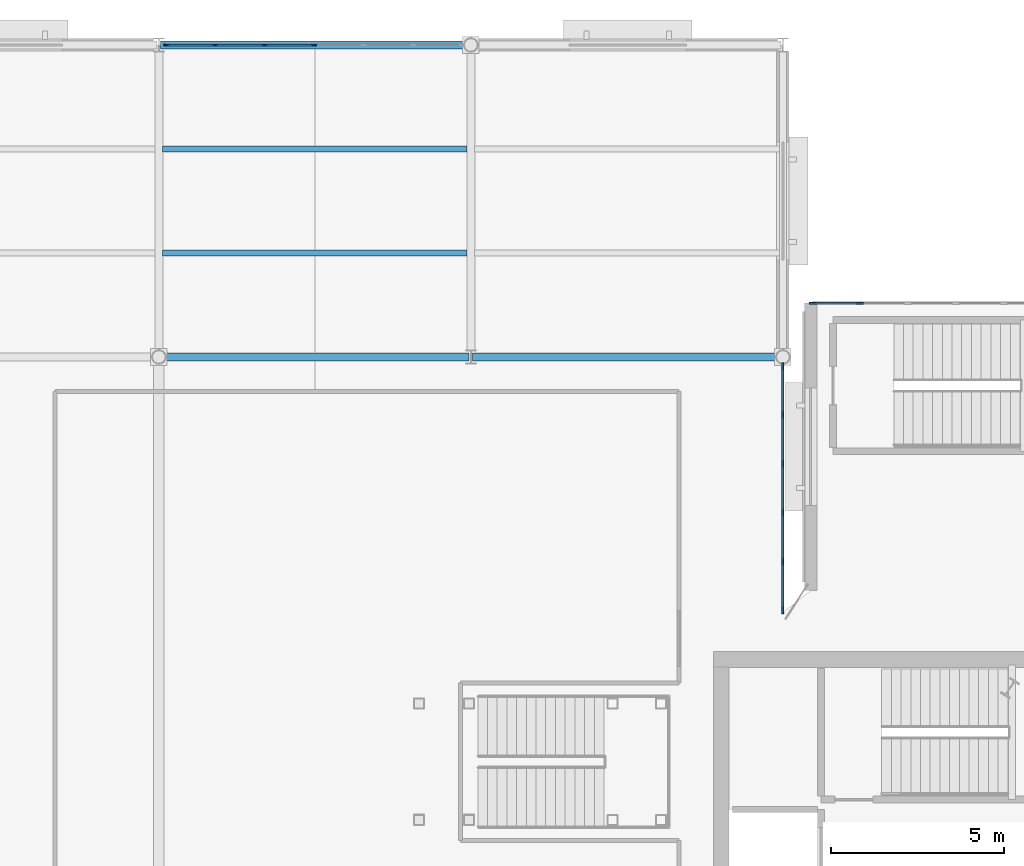
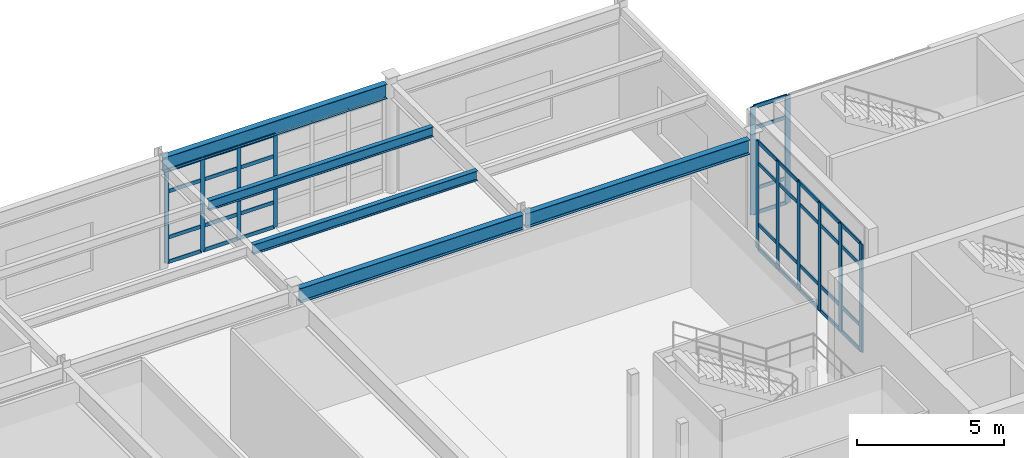
# One storey, part 40 of 84: 48 members, 5 beams, 3 elements without a shape of their own.
"""IFC4 building model written with IfcOpenShell, lengths in metres."""

from ifc_helpers import new_model, si_unit, direction, frame, origin, origin_2d, place, context, subcontext, project, spatial, rectangle, i_section, extrude, material, material_profile, profile_set, type_object, element, aggregate, save


model = new_model("IFC4")

# Units and contexts
model_context = context("Model", 3, precision=1e-05, world=origin(), true_north=direction((0.0, 1.0)))
body_context = subcontext(model_context, "Body", "Model", "MODEL_VIEW")
ifc_project = project(units=[si_unit("LENGTHUNIT", "METRE"), si_unit("AREAUNIT", "SQUARE_METRE"), si_unit("VOLUMEUNIT", "CUBIC_METRE"), si_unit("PLANEANGLEUNIT", "RADIAN"), si_unit("MASSUNIT", "GRAM", prefix="KILO")], contexts=[model_context])

# Site, building, storey
site_placement = place(None, origin())
site = spatial("IfcSite", under=ifc_project, at=site_placement, CompositionType="ELEMENT")
building_placement = place(site_placement, origin())
building = spatial("IfcBuilding", under=site, at=building_placement, Name="Glasvene Arena", CompositionType="ELEMENT")
storey_placement = place(building_placement, frame((0.0, 0.0, 10.199951171875)))
storey = spatial("IfcBuildingStorey", under=building, at=storey_placement, Name="L02", CompositionType="ELEMENT", Elevation=10.199951171875)

# Beams
ifc_material_1 = material(Name="Steel S355J2", Category="steel")
ifc_material_profile_1 = material_profile(ifc_material_1, i_section(OverallWidth=0.228271484375, OverallDepth=0.607666015625, WebThickness=0.010986328125, FlangeThickness=0.017333984375, FilletRadius=0.0126953125, at=origin_2d()), Name="UKB 610x229x113")
ifc_profile_set_1 = profile_set([ifc_material_profile_1], Name="Steel S355J2")
beam_type_1 = type_object("IfcBeamType", Name="BM-GIRD-610", PredefinedType="BEAM", material=ifc_profile_set_1)
for number, where, z_axis, x_axis, name in (
    (1, (27.1982421875, 109.0, 4.21630859375), (1.0, 0.0, 0.0), (0.0, 1.0, 0.0), "Primary X girder L02-0822"),
    (2, (36.050048828125, 109.0, 4.21630859375), (1.0, 0.0, 0.0), (0.0, 1.0, 0.0), "Primary X girder L02-0823"),
    (3, (27.050048828125, 118.0, 4.21630859375), (1.0, 0.0, 0.0), (0.0, 1.0, 0.0), "Primary X girder L02-0827"),
):
    element("IfcBeam", number, at=place(storey_placement, frame(where, z_axis=z_axis, x_axis=x_axis)), inside=storey, type_object=beam_type_1, Name=name, PredefinedType="BEAM", context=body_context, shape_type="SweptSolid", body=[
        extrude(i_section(OverallWidth=0.228271484375, OverallDepth=0.607666015625, WebThickness=0.010986328125, FlangeThickness=0.017333984375, FilletRadius=0.0126953125, at=origin_2d()), origin(), (0.0, 0.0, 1.0), 8.751708984375),
    ])
ifc_material_profile_2 = material_profile(ifc_material_1, i_section(OverallWidth=0.177978515625, OverallDepth=0.406494140625, WebThickness=0.0078125, FlangeThickness=0.0126953125, FilletRadius=0.01025390625, at=origin_2d()), Name="UKB 406x178x60")
ifc_profile_set_2 = profile_set([ifc_material_profile_2], Name="Steel S355J2")
beam_type_2 = type_object("IfcBeamType", Name="BM-JOIST-406", PredefinedType="JOIST", material=ifc_profile_set_2)
for number, where, z_axis, x_axis, name in (
    (4, (27.110107421875, 112.0, 4.31689453125), (1.0, 0.0, 0.0), (0.0, 1.0, 0.0), "Composite floor joist L02-0919"),
    (5, (27.110107421875, 115.0, 4.31689453125), (1.0, 0.0, 0.0), (0.0, 1.0, 0.0), "Composite floor joist L02-0920"),
):
    element("IfcBeam", number, at=place(storey_placement, frame(where, z_axis=z_axis, x_axis=x_axis)), inside=storey, type_object=beam_type_2, Name=name, PredefinedType="JOIST", context=body_context, shape_type="SweptSolid", body=[
        extrude(i_section(OverallWidth=0.177978515625, OverallDepth=0.406494140625, WebThickness=0.0078125, FlangeThickness=0.0126953125, FilletRadius=0.01025390625, at=origin_2d()), origin(), (0.0, 0.0, 1.0), 8.77978515625),
    ])

# Curtain wall, members
ifc_material_2 = material(Name="Low-emissivity laminated double glazing", Category="glass")
curtain_wall_type_1 = type_object("IfcCurtainWallType", Name="CW-FAC-L01-856x385", PredefinedType="USERDEFINED", material=ifc_material_2)
curtain_wall_1_placement = place(storey_placement, frame((27.19189453125, 118.0, 0.0)))
curtain_wall_1 = element("IfcCurtainWall", 6, at=curtain_wall_1_placement, inside=storey, type_object=curtain_wall_type_1, Name="Unitised curtain wall CW-F-L02-150-315-1180-10", ObjectType="CURTAIN WALL", PredefinedType="USERDEFINED")
ifc_material_3 = material(Name="Anodised architectural aluminium", Category="aluminium")
ifc_material_profile_3 = material_profile(ifc_material_3, rectangle(XDim=0.050048828125, YDim=0.159912109375, at=origin_2d()), Name="ALU MULLION 50x160")
ifc_profile_set_3 = profile_set([ifc_material_profile_3], Name="Anodised architectural aluminium")
member_type_1 = type_object("IfcMemberType", Name="CW-MUL-150", PredefinedType="MULLION", material=ifc_profile_set_3)
member_1_placement = place(storey_placement, frame((27.217041015625, 118.0, 0.06005859375), z_axis=(0.0, 0.0, 1.0), x_axis=(0.0, 1.0, 0.0)))
member_1 = element("IfcMember", 7, at=member_1_placement, type_object=member_type_1, Name="CW-017 mullion 1", PredefinedType="MULLION", context=body_context, shape_type="SweptSolid", body=[
    extrude(rectangle(XDim=0.050048828125, YDim=0.159912109375, at=origin_2d()), origin(), (0.0, 0.0, 1.0), 3.846923828125),
])
member_2_placement = place(storey_placement, frame((28.619140625, 118.0, 0.06005859375), z_axis=(0.0, 0.0, 1.0), x_axis=(0.0, 1.0, 0.0)))
member_2 = element("IfcMember", 8, at=member_2_placement, type_object=member_type_1, Name="CW-017 mullion 2", PredefinedType="MULLION", context=body_context, shape_type="SweptSolid", body=[
    extrude(rectangle(XDim=0.050048828125, YDim=0.159912109375, at=origin_2d()), origin(), (0.0, 0.0, 1.0), 3.846923828125),
])
member_3_placement = place(storey_placement, frame((30.04638671875, 118.0, 0.06005859375), z_axis=(0.0, 0.0, 1.0), x_axis=(0.0, 1.0, 0.0)))
member_3 = element("IfcMember", 9, at=member_3_placement, type_object=member_type_1, Name="CW-017 mullion 3", PredefinedType="MULLION", context=body_context, shape_type="SweptSolid", body=[
    extrude(rectangle(XDim=0.050048828125, YDim=0.159912109375, at=origin_2d()), origin(), (0.0, 0.0, 1.0), 3.846923828125),
])
member_4_placement = place(storey_placement, frame((31.473388671875, 118.0, 0.06005859375), z_axis=(0.0, 0.0, 1.0), x_axis=(0.0, 1.0, 0.0)))
member_4 = element("IfcMember", 10, at=member_4_placement, type_object=member_type_1, Name="CW-017 mullion 4", PredefinedType="MULLION", context=body_context, shape_type="SweptSolid", body=[
    extrude(rectangle(XDim=0.050048828125, YDim=0.159912109375, at=origin_2d()), origin(), (0.0, 0.0, 1.0), 3.846923828125),
])

curtain_wall_type_2 = type_object("IfcCurtainWallType", Name="CW-FAC-L02-708x446", PredefinedType="USERDEFINED", material=ifc_material_2)
curtain_wall_2_placement = place(storey_placement, frame((45.0, 108.7548828125, 0.0)))
curtain_wall_2 = element("IfcCurtainWall", 11, at=curtain_wall_2_placement, inside=storey, type_object=curtain_wall_type_2, Name="Unitised curtain wall CW-F-L02-180-450-1052-13", ObjectType="CURTAIN WALL", PredefinedType="USERDEFINED")
ifc_material_profile_4 = material_profile(ifc_material_3, rectangle(XDim=0.050048828125, YDim=0.199951171875, at=origin_2d()), Name="ALU MULLION 50x200")
ifc_profile_set_4 = profile_set([ifc_material_profile_4], Name="Anodised architectural aluminium")
member_type_2 = type_object("IfcMemberType", Name="CW-MUL-180", PredefinedType="MULLION", material=ifc_profile_set_4)
member_5_placement = place(storey_placement, frame((45.0, 108.729736328125, 0.06005859375), z_axis=(0.0, 0.0, 1.0), x_axis=(1.0, 0.0, 0.0)))
member_5 = element("IfcMember", 12, at=member_5_placement, type_object=member_type_2, Name="CW-020 mullion 1", PredefinedType="MULLION", context=body_context, shape_type="SweptSolid", body=[
    extrude(rectangle(XDim=0.050048828125, YDim=0.199951171875, at=origin_2d()), origin(), (0.0, 0.0, 1.0), 4.4599609375),
])
member_6_placement = place(storey_placement, frame((45.0, 107.338134765625, 0.06005859375), z_axis=(0.0, 0.0, 1.0), x_axis=(1.0, 0.0, 0.0)))
member_6 = element("IfcMember", 13, at=member_6_placement, type_object=member_type_2, Name="CW-020 mullion 2", PredefinedType="MULLION", context=body_context, shape_type="SweptSolid", body=[
    extrude(rectangle(XDim=0.050048828125, YDim=0.199951171875, at=origin_2d()), origin(), (0.0, 0.0, 1.0), 4.4599609375),
])
member_7_placement = place(storey_placement, frame((45.0, 105.921142578125, 0.06005859375), z_axis=(0.0, 0.0, 1.0), x_axis=(1.0, 0.0, 0.0)))
member_7 = element("IfcMember", 14, at=member_7_placement, type_object=member_type_2, Name="CW-020 mullion 3", PredefinedType="MULLION", context=body_context, shape_type="SweptSolid", body=[
    extrude(rectangle(XDim=0.050048828125, YDim=0.199951171875, at=origin_2d()), origin(), (0.0, 0.0, 1.0), 4.4599609375),
])
member_8_placement = place(storey_placement, frame((45.0, 104.50439453125, 0.06005859375), z_axis=(0.0, 0.0, 1.0), x_axis=(1.0, 0.0, 0.0)))
member_8 = element("IfcMember", 15, at=member_8_placement, type_object=member_type_2, Name="CW-020 mullion 4", PredefinedType="MULLION", context=body_context, shape_type="SweptSolid", body=[
    extrude(rectangle(XDim=0.050048828125, YDim=0.199951171875, at=origin_2d()), origin(), (0.0, 0.0, 1.0), 4.4599609375),
])
member_9_placement = place(storey_placement, frame((45.0, 103.087646484375, 0.06005859375), z_axis=(0.0, 0.0, 1.0), x_axis=(1.0, 0.0, 0.0)))
member_9 = element("IfcMember", 16, at=member_9_placement, type_object=member_type_2, Name="CW-020 mullion 5", PredefinedType="MULLION", context=body_context, shape_type="SweptSolid", body=[
    extrude(rectangle(XDim=0.050048828125, YDim=0.199951171875, at=origin_2d()), origin(), (0.0, 0.0, 1.0), 4.4599609375),
])
member_10_placement = place(storey_placement, frame((45.0, 101.69580078125, 0.06005859375), z_axis=(0.0, 0.0, 1.0), x_axis=(1.0, 0.0, 0.0)))
member_10 = element("IfcMember", 17, at=member_10_placement, type_object=member_type_2, Name="CW-020 mullion 6", PredefinedType="MULLION", context=body_context, shape_type="SweptSolid", body=[
    extrude(rectangle(XDim=0.050048828125, YDim=0.199951171875, at=origin_2d()), origin(), (0.0, 0.0, 1.0), 4.4599609375),
])

curtain_wall_type_3 = type_object("IfcCurtainWallType", Name="CW-FAC-L02-692x446", PredefinedType="USERDEFINED", material=ifc_material_2)
curtain_wall_3_placement = place(storey_placement, frame((45.840087890625, 110.550048828125, 0.0)))
curtain_wall_3 = element("IfcCurtainWall", 18, at=curtain_wall_3_placement, inside=storey, type_object=curtain_wall_type_3, Name="Unitised curtain wall CW-F-L02-180-493-1106-16", ObjectType="CURTAIN WALL", PredefinedType="USERDEFINED")
member_11_placement = place(storey_placement, frame((45.864990234375, 110.550048828125, 0.06005859375), z_axis=(0.0, 0.0, 1.0), x_axis=(0.0, 1.0, 0.0)))
member_11 = element("IfcMember", 19, at=member_11_placement, type_object=member_type_2, Name="CW-021 mullion 1", PredefinedType="MULLION", context=body_context, shape_type="SweptSolid", body=[
    extrude(rectangle(XDim=0.050048828125, YDim=0.199951171875, at=origin_2d()), origin(), (0.0, 0.0, 1.0), 4.4599609375),
])
member_12_placement = place(storey_placement, frame((47.22412109375, 110.550048828125, 0.06005859375), z_axis=(0.0, 0.0, 1.0), x_axis=(0.0, 1.0, 0.0)))
member_12 = element("IfcMember", 20, at=member_12_placement, type_object=member_type_2, Name="CW-021 mullion 2", PredefinedType="MULLION", context=body_context, shape_type="SweptSolid", body=[
    extrude(rectangle(XDim=0.050048828125, YDim=0.199951171875, at=origin_2d()), origin(), (0.0, 0.0, 1.0), 4.4599609375),
])

# Member
ifc_material_profile_5 = material_profile(ifc_material_3, rectangle(XDim=0.050048828125, YDim=0.14990234375, at=origin_2d()), Name="ALU TRANSOM 50x150")
ifc_profile_set_5 = profile_set([ifc_material_profile_5], Name="Anodised architectural aluminium")
member_type_3 = type_object("IfcMemberType", Name="CW-TRN-150", PredefinedType="USERDEFINED", material=ifc_profile_set_5)
member_13_placement = place(storey_placement, frame((27.241943359375, 118.0, 0.0849609375), z_axis=(1.0, 0.0, 0.0), x_axis=(0.0, 1.0, 0.0)))
member_13 = element("IfcMember", 21, at=member_13_placement, type_object=member_type_3, Name="CW-017 transom 1.1", ObjectType="TRANSOM", PredefinedType="USERDEFINED", context=body_context, shape_type="SweptSolid", body=[
    extrude(rectangle(XDim=0.050048828125, YDim=0.14990234375, at=origin_2d()), origin(), (0.0, 0.0, 1.0), 1.352294921875),
])

member_14_placement = place(storey_placement, frame((27.241943359375, 118.0, 1.10009765625), z_axis=(1.0, 0.0, 0.0), x_axis=(0.0, 1.0, 0.0)))
member_14 = element("IfcMember", 22, at=member_14_placement, type_object=member_type_3, Name="CW-017 transom 1.2", ObjectType="TRANSOM", PredefinedType="USERDEFINED", context=body_context, shape_type="SweptSolid", body=[
    extrude(rectangle(XDim=0.050048828125, YDim=0.14990234375, at=origin_2d()), origin(), (0.0, 0.0, 1.0), 1.352294921875),
])

member_15_placement = place(storey_placement, frame((27.241943359375, 118.0, 3.007080078125), z_axis=(1.0, 0.0, 0.0), x_axis=(0.0, 1.0, 0.0)))
member_15 = element("IfcMember", 23, at=member_15_placement, type_object=member_type_3, Name="CW-017 transom 1.3", ObjectType="TRANSOM", PredefinedType="USERDEFINED", context=body_context, shape_type="SweptSolid", body=[
    extrude(rectangle(XDim=0.050048828125, YDim=0.14990234375, at=origin_2d()), origin(), (0.0, 0.0, 1.0), 1.352294921875),
])

member_16_placement = place(storey_placement, frame((27.241943359375, 118.0, 3.882080078125), z_axis=(1.0, 0.0, 0.0), x_axis=(0.0, 1.0, 0.0)))
member_16 = element("IfcMember", 24, at=member_16_placement, type_object=member_type_3, Name="CW-017 transom 1.4", ObjectType="TRANSOM", PredefinedType="USERDEFINED", context=body_context, shape_type="SweptSolid", body=[
    extrude(rectangle(XDim=0.050048828125, YDim=0.14990234375, at=origin_2d()), origin(), (0.0, 0.0, 1.0), 1.352294921875),
])

member_17_placement = place(storey_placement, frame((28.64404296875, 118.0, 0.0849609375), z_axis=(1.0, 0.0, 0.0), x_axis=(0.0, 1.0, 0.0)))
member_17 = element("IfcMember", 25, at=member_17_placement, type_object=member_type_3, Name="CW-017 transom 2.1", ObjectType="TRANSOM", PredefinedType="USERDEFINED", context=body_context, shape_type="SweptSolid", body=[
    extrude(rectangle(XDim=0.050048828125, YDim=0.14990234375, at=origin_2d()), origin(), (0.0, 0.0, 1.0), 1.377197265625),
])

member_18_placement = place(storey_placement, frame((28.64404296875, 118.0, 1.10009765625), z_axis=(1.0, 0.0, 0.0), x_axis=(0.0, 1.0, 0.0)))
member_18 = element("IfcMember", 26, at=member_18_placement, type_object=member_type_3, Name="CW-017 transom 2.2", ObjectType="TRANSOM", PredefinedType="USERDEFINED", context=body_context, shape_type="SweptSolid", body=[
    extrude(rectangle(XDim=0.050048828125, YDim=0.14990234375, at=origin_2d()), origin(), (0.0, 0.0, 1.0), 1.377197265625),
])

member_19_placement = place(storey_placement, frame((28.64404296875, 118.0, 3.007080078125), z_axis=(1.0, 0.0, 0.0), x_axis=(0.0, 1.0, 0.0)))
member_19 = element("IfcMember", 27, at=member_19_placement, type_object=member_type_3, Name="CW-017 transom 2.3", ObjectType="TRANSOM", PredefinedType="USERDEFINED", context=body_context, shape_type="SweptSolid", body=[
    extrude(rectangle(XDim=0.050048828125, YDim=0.14990234375, at=origin_2d()), origin(), (0.0, 0.0, 1.0), 1.377197265625),
])

member_20_placement = place(storey_placement, frame((28.64404296875, 118.0, 3.882080078125), z_axis=(1.0, 0.0, 0.0), x_axis=(0.0, 1.0, 0.0)))
member_20 = element("IfcMember", 28, at=member_20_placement, type_object=member_type_3, Name="CW-017 transom 2.4", ObjectType="TRANSOM", PredefinedType="USERDEFINED", context=body_context, shape_type="SweptSolid", body=[
    extrude(rectangle(XDim=0.050048828125, YDim=0.14990234375, at=origin_2d()), origin(), (0.0, 0.0, 1.0), 1.377197265625),
])

member_21_placement = place(storey_placement, frame((30.0712890625, 118.0, 0.0849609375), z_axis=(1.0, 0.0, 0.0), x_axis=(0.0, 1.0, 0.0)))
member_21 = element("IfcMember", 29, at=member_21_placement, type_object=member_type_3, Name="CW-017 transom 3.1", ObjectType="TRANSOM", PredefinedType="USERDEFINED", context=body_context, shape_type="SweptSolid", body=[
    extrude(rectangle(XDim=0.050048828125, YDim=0.14990234375, at=origin_2d()), origin(), (0.0, 0.0, 1.0), 1.377197265625),
])

member_22_placement = place(storey_placement, frame((30.0712890625, 118.0, 1.10009765625), z_axis=(1.0, 0.0, 0.0), x_axis=(0.0, 1.0, 0.0)))
member_22 = element("IfcMember", 30, at=member_22_placement, type_object=member_type_3, Name="CW-017 transom 3.2", ObjectType="TRANSOM", PredefinedType="USERDEFINED", context=body_context, shape_type="SweptSolid", body=[
    extrude(rectangle(XDim=0.050048828125, YDim=0.14990234375, at=origin_2d()), origin(), (0.0, 0.0, 1.0), 1.377197265625),
])

member_23_placement = place(storey_placement, frame((30.0712890625, 118.0, 3.007080078125), z_axis=(1.0, 0.0, 0.0), x_axis=(0.0, 1.0, 0.0)))
member_23 = element("IfcMember", 31, at=member_23_placement, type_object=member_type_3, Name="CW-017 transom 3.3", ObjectType="TRANSOM", PredefinedType="USERDEFINED", context=body_context, shape_type="SweptSolid", body=[
    extrude(rectangle(XDim=0.050048828125, YDim=0.14990234375, at=origin_2d()), origin(), (0.0, 0.0, 1.0), 1.377197265625),
])

member_24_placement = place(storey_placement, frame((30.0712890625, 118.0, 3.882080078125), z_axis=(1.0, 0.0, 0.0), x_axis=(0.0, 1.0, 0.0)))
member_24 = element("IfcMember", 32, at=member_24_placement, type_object=member_type_3, Name="CW-017 transom 3.4", ObjectType="TRANSOM", PredefinedType="USERDEFINED", context=body_context, shape_type="SweptSolid", body=[
    extrude(rectangle(XDim=0.050048828125, YDim=0.14990234375, at=origin_2d()), origin(), (0.0, 0.0, 1.0), 1.377197265625),
])

aggregate(curtain_wall_1, [member_1, member_2, member_3, member_4, member_13, member_14, member_15, member_16, member_17, member_18, member_19, member_20, member_21, member_22, member_23, member_24])

member_25_placement = place(storey_placement, frame((45.0, 108.704833984375, 0.0849609375), z_axis=(0.0, -1.0, 0.0), x_axis=(1.0, 0.0, 0.0)))
member_25 = element("IfcMember", 33, at=member_25_placement, type_object=member_type_3, Name="CW-020 transom 1.1", ObjectType="TRANSOM", PredefinedType="USERDEFINED", context=body_context, shape_type="SweptSolid", body=[
    extrude(rectangle(XDim=0.050048828125, YDim=0.14990234375, at=origin_2d()), origin(), (0.0, 0.0, 1.0), 1.341796875),
])

member_26_placement = place(storey_placement, frame((45.0, 108.704833984375, 1.10009765625), z_axis=(0.0, -1.0, 0.0), x_axis=(1.0, 0.0, 0.0)))
member_26 = element("IfcMember", 34, at=member_26_placement, type_object=member_type_3, Name="CW-020 transom 1.2", ObjectType="TRANSOM", PredefinedType="USERDEFINED", context=body_context, shape_type="SweptSolid", body=[
    extrude(rectangle(XDim=0.050048828125, YDim=0.14990234375, at=origin_2d()), origin(), (0.0, 0.0, 1.0), 1.341796875),
])

member_27_placement = place(storey_placement, frame((45.0, 108.704833984375, 3.6201171875), z_axis=(0.0, -1.0, 0.0), x_axis=(1.0, 0.0, 0.0)))
member_27 = element("IfcMember", 35, at=member_27_placement, type_object=member_type_3, Name="CW-020 transom 1.3", ObjectType="TRANSOM", PredefinedType="USERDEFINED", context=body_context, shape_type="SweptSolid", body=[
    extrude(rectangle(XDim=0.050048828125, YDim=0.14990234375, at=origin_2d()), origin(), (0.0, 0.0, 1.0), 1.341796875),
])

member_28_placement = place(storey_placement, frame((45.0, 108.704833984375, 4.4951171875), z_axis=(0.0, -1.0, 0.0), x_axis=(1.0, 0.0, 0.0)))
member_28 = element("IfcMember", 36, at=member_28_placement, type_object=member_type_3, Name="CW-020 transom 1.4", ObjectType="TRANSOM", PredefinedType="USERDEFINED", context=body_context, shape_type="SweptSolid", body=[
    extrude(rectangle(XDim=0.050048828125, YDim=0.14990234375, at=origin_2d()), origin(), (0.0, 0.0, 1.0), 1.341796875),
])

member_29_placement = place(storey_placement, frame((45.0, 107.31298828125, 0.0849609375), z_axis=(0.0, -1.0, 0.0), x_axis=(1.0, 0.0, 0.0)))
member_29 = element("IfcMember", 37, at=member_29_placement, type_object=member_type_3, Name="CW-020 transom 2.1", ObjectType="TRANSOM", PredefinedType="USERDEFINED", context=body_context, shape_type="SweptSolid", body=[
    extrude(rectangle(XDim=0.050048828125, YDim=0.14990234375, at=origin_2d()), origin(), (0.0, 0.0, 1.0), 1.36669921875),
])

member_30_placement = place(storey_placement, frame((45.0, 107.31298828125, 1.10009765625), z_axis=(0.0, -1.0, 0.0), x_axis=(1.0, 0.0, 0.0)))
member_30 = element("IfcMember", 38, at=member_30_placement, type_object=member_type_3, Name="CW-020 transom 2.2", ObjectType="TRANSOM", PredefinedType="USERDEFINED", context=body_context, shape_type="SweptSolid", body=[
    extrude(rectangle(XDim=0.050048828125, YDim=0.14990234375, at=origin_2d()), origin(), (0.0, 0.0, 1.0), 1.36669921875),
])

member_31_placement = place(storey_placement, frame((45.0, 107.31298828125, 3.6201171875), z_axis=(0.0, -1.0, 0.0), x_axis=(1.0, 0.0, 0.0)))
member_31 = element("IfcMember", 39, at=member_31_placement, type_object=member_type_3, Name="CW-020 transom 2.3", ObjectType="TRANSOM", PredefinedType="USERDEFINED", context=body_context, shape_type="SweptSolid", body=[
    extrude(rectangle(XDim=0.050048828125, YDim=0.14990234375, at=origin_2d()), origin(), (0.0, 0.0, 1.0), 1.36669921875),
])

member_32_placement = place(storey_placement, frame((45.0, 107.31298828125, 4.4951171875), z_axis=(0.0, -1.0, 0.0), x_axis=(1.0, 0.0, 0.0)))
member_32 = element("IfcMember", 40, at=member_32_placement, type_object=member_type_3, Name="CW-020 transom 2.4", ObjectType="TRANSOM", PredefinedType="USERDEFINED", context=body_context, shape_type="SweptSolid", body=[
    extrude(rectangle(XDim=0.050048828125, YDim=0.14990234375, at=origin_2d()), origin(), (0.0, 0.0, 1.0), 1.36669921875),
])

member_33_placement = place(storey_placement, frame((45.0, 105.896240234375, 0.0849609375), z_axis=(0.0, -1.0, 0.0), x_axis=(1.0, 0.0, 0.0)))
member_33 = element("IfcMember", 41, at=member_33_placement, type_object=member_type_3, Name="CW-020 transom 3.1", ObjectType="TRANSOM", PredefinedType="USERDEFINED", context=body_context, shape_type="SweptSolid", body=[
    extrude(rectangle(XDim=0.050048828125, YDim=0.14990234375, at=origin_2d()), origin(), (0.0, 0.0, 1.0), 1.36669921875),
])

member_34_placement = place(storey_placement, frame((45.0, 105.896240234375, 1.10009765625), z_axis=(0.0, -1.0, 0.0), x_axis=(1.0, 0.0, 0.0)))
member_34 = element("IfcMember", 42, at=member_34_placement, type_object=member_type_3, Name="CW-020 transom 3.2", ObjectType="TRANSOM", PredefinedType="USERDEFINED", context=body_context, shape_type="SweptSolid", body=[
    extrude(rectangle(XDim=0.050048828125, YDim=0.14990234375, at=origin_2d()), origin(), (0.0, 0.0, 1.0), 1.36669921875),
])

member_35_placement = place(storey_placement, frame((45.0, 105.896240234375, 3.6201171875), z_axis=(0.0, -1.0, 0.0), x_axis=(1.0, 0.0, 0.0)))
member_35 = element("IfcMember", 43, at=member_35_placement, type_object=member_type_3, Name="CW-020 transom 3.3", ObjectType="TRANSOM", PredefinedType="USERDEFINED", context=body_context, shape_type="SweptSolid", body=[
    extrude(rectangle(XDim=0.050048828125, YDim=0.14990234375, at=origin_2d()), origin(), (0.0, 0.0, 1.0), 1.36669921875),
])

member_36_placement = place(storey_placement, frame((45.0, 105.896240234375, 4.4951171875), z_axis=(0.0, -1.0, 0.0), x_axis=(1.0, 0.0, 0.0)))
member_36 = element("IfcMember", 44, at=member_36_placement, type_object=member_type_3, Name="CW-020 transom 3.4", ObjectType="TRANSOM", PredefinedType="USERDEFINED", context=body_context, shape_type="SweptSolid", body=[
    extrude(rectangle(XDim=0.050048828125, YDim=0.14990234375, at=origin_2d()), origin(), (0.0, 0.0, 1.0), 1.36669921875),
])

member_37_placement = place(storey_placement, frame((45.0, 104.4794921875, 0.0849609375), z_axis=(0.0, -1.0, 0.0), x_axis=(1.0, 0.0, 0.0)))
member_37 = element("IfcMember", 45, at=member_37_placement, type_object=member_type_3, Name="CW-020 transom 4.1", ObjectType="TRANSOM", PredefinedType="USERDEFINED", context=body_context, shape_type="SweptSolid", body=[
    extrude(rectangle(XDim=0.050048828125, YDim=0.14990234375, at=origin_2d()), origin(), (0.0, 0.0, 1.0), 1.36669921875),
])

member_38_placement = place(storey_placement, frame((45.0, 104.4794921875, 1.10009765625), z_axis=(0.0, -1.0, 0.0), x_axis=(1.0, 0.0, 0.0)))
member_38 = element("IfcMember", 46, at=member_38_placement, type_object=member_type_3, Name="CW-020 transom 4.2", ObjectType="TRANSOM", PredefinedType="USERDEFINED", context=body_context, shape_type="SweptSolid", body=[
    extrude(rectangle(XDim=0.050048828125, YDim=0.14990234375, at=origin_2d()), origin(), (0.0, 0.0, 1.0), 1.36669921875),
])

member_39_placement = place(storey_placement, frame((45.0, 104.4794921875, 3.6201171875), z_axis=(0.0, -1.0, 0.0), x_axis=(1.0, 0.0, 0.0)))
member_39 = element("IfcMember", 47, at=member_39_placement, type_object=member_type_3, Name="CW-020 transom 4.3", ObjectType="TRANSOM", PredefinedType="USERDEFINED", context=body_context, shape_type="SweptSolid", body=[
    extrude(rectangle(XDim=0.050048828125, YDim=0.14990234375, at=origin_2d()), origin(), (0.0, 0.0, 1.0), 1.36669921875),
])

member_40_placement = place(storey_placement, frame((45.0, 104.4794921875, 4.4951171875), z_axis=(0.0, -1.0, 0.0), x_axis=(1.0, 0.0, 0.0)))
member_40 = element("IfcMember", 48, at=member_40_placement, type_object=member_type_3, Name="CW-020 transom 4.4", ObjectType="TRANSOM", PredefinedType="USERDEFINED", context=body_context, shape_type="SweptSolid", body=[
    extrude(rectangle(XDim=0.050048828125, YDim=0.14990234375, at=origin_2d()), origin(), (0.0, 0.0, 1.0), 1.36669921875),
])

member_41_placement = place(storey_placement, frame((45.0, 103.062744140625, 0.0849609375), z_axis=(0.0, -1.0, 0.0), x_axis=(1.0, 0.0, 0.0)))
member_41 = element("IfcMember", 49, at=member_41_placement, type_object=member_type_3, Name="CW-020 transom 5.1", ObjectType="TRANSOM", PredefinedType="USERDEFINED", context=body_context, shape_type="SweptSolid", body=[
    extrude(rectangle(XDim=0.050048828125, YDim=0.14990234375, at=origin_2d()), origin(), (0.0, 0.0, 1.0), 1.341796875),
])

member_42_placement = place(storey_placement, frame((45.0, 103.062744140625, 1.10009765625), z_axis=(0.0, -1.0, 0.0), x_axis=(1.0, 0.0, 0.0)))
member_42 = element("IfcMember", 50, at=member_42_placement, type_object=member_type_3, Name="CW-020 transom 5.2", ObjectType="TRANSOM", PredefinedType="USERDEFINED", context=body_context, shape_type="SweptSolid", body=[
    extrude(rectangle(XDim=0.050048828125, YDim=0.14990234375, at=origin_2d()), origin(), (0.0, 0.0, 1.0), 1.341796875),
])

member_43_placement = place(storey_placement, frame((45.0, 103.062744140625, 3.6201171875), z_axis=(0.0, -1.0, 0.0), x_axis=(1.0, 0.0, 0.0)))
member_43 = element("IfcMember", 51, at=member_43_placement, type_object=member_type_3, Name="CW-020 transom 5.3", ObjectType="TRANSOM", PredefinedType="USERDEFINED", context=body_context, shape_type="SweptSolid", body=[
    extrude(rectangle(XDim=0.050048828125, YDim=0.14990234375, at=origin_2d()), origin(), (0.0, 0.0, 1.0), 1.341796875),
])

member_44_placement = place(storey_placement, frame((45.0, 103.062744140625, 4.4951171875), z_axis=(0.0, -1.0, 0.0), x_axis=(1.0, 0.0, 0.0)))
member_44 = element("IfcMember", 52, at=member_44_placement, type_object=member_type_3, Name="CW-020 transom 5.4", ObjectType="TRANSOM", PredefinedType="USERDEFINED", context=body_context, shape_type="SweptSolid", body=[
    extrude(rectangle(XDim=0.050048828125, YDim=0.14990234375, at=origin_2d()), origin(), (0.0, 0.0, 1.0), 1.341796875),
])

aggregate(curtain_wall_2, [member_5, member_6, member_7, member_8, member_9, member_10, member_25, member_26, member_27, member_28, member_29, member_30, member_31, member_32, member_33, member_34, member_35, member_36, member_37, member_38, member_39, member_40, member_41, member_42, member_43, member_44])

member_45_placement = place(storey_placement, frame((45.889892578125, 110.550048828125, 0.0849609375), z_axis=(1.0, 0.0, 0.0), x_axis=(0.0, 1.0, 0.0)))
member_45 = element("IfcMember", 53, at=member_45_placement, type_object=member_type_3, Name="CW-021 transom 1.1", ObjectType="TRANSOM", PredefinedType="USERDEFINED", context=body_context, shape_type="SweptSolid", body=[
    extrude(rectangle(XDim=0.050048828125, YDim=0.14990234375, at=origin_2d()), origin(), (0.0, 0.0, 1.0), 1.30908203125),
])

member_46_placement = place(storey_placement, frame((45.889892578125, 110.550048828125, 1.10009765625), z_axis=(1.0, 0.0, 0.0), x_axis=(0.0, 1.0, 0.0)))
member_46 = element("IfcMember", 54, at=member_46_placement, type_object=member_type_3, Name="CW-021 transom 1.2", ObjectType="TRANSOM", PredefinedType="USERDEFINED", context=body_context, shape_type="SweptSolid", body=[
    extrude(rectangle(XDim=0.050048828125, YDim=0.14990234375, at=origin_2d()), origin(), (0.0, 0.0, 1.0), 1.30908203125),
])

member_47_placement = place(storey_placement, frame((45.889892578125, 110.550048828125, 3.6201171875), z_axis=(1.0, 0.0, 0.0), x_axis=(0.0, 1.0, 0.0)))
member_47 = element("IfcMember", 55, at=member_47_placement, type_object=member_type_3, Name="CW-021 transom 1.3", ObjectType="TRANSOM", PredefinedType="USERDEFINED", context=body_context, shape_type="SweptSolid", body=[
    extrude(rectangle(XDim=0.050048828125, YDim=0.14990234375, at=origin_2d()), origin(), (0.0, 0.0, 1.0), 1.30908203125),
])

member_48_placement = place(storey_placement, frame((45.889892578125, 110.550048828125, 4.4951171875), z_axis=(1.0, 0.0, 0.0), x_axis=(0.0, 1.0, 0.0)))
member_48 = element("IfcMember", 56, at=member_48_placement, type_object=member_type_3, Name="CW-021 transom 1.4", ObjectType="TRANSOM", PredefinedType="USERDEFINED", context=body_context, shape_type="SweptSolid", body=[
    extrude(rectangle(XDim=0.050048828125, YDim=0.14990234375, at=origin_2d()), origin(), (0.0, 0.0, 1.0), 1.30908203125),
])

aggregate(curtain_wall_3, [member_11, member_12, member_45, member_46, member_47, member_48])

save(model, "model.ifc")
